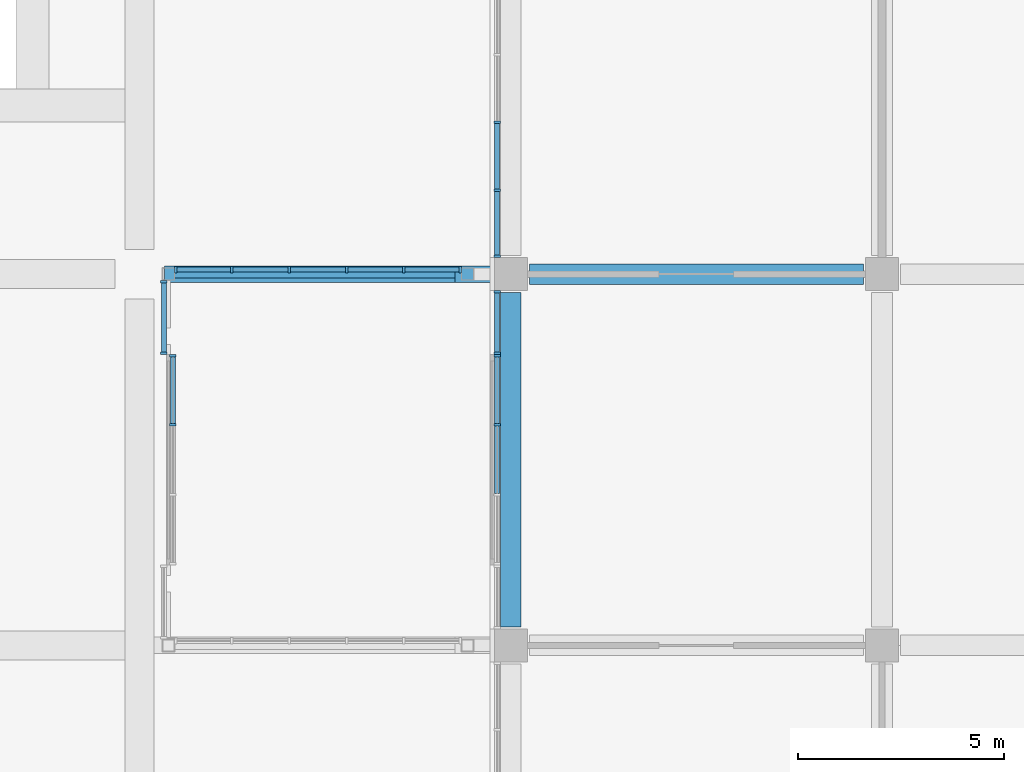
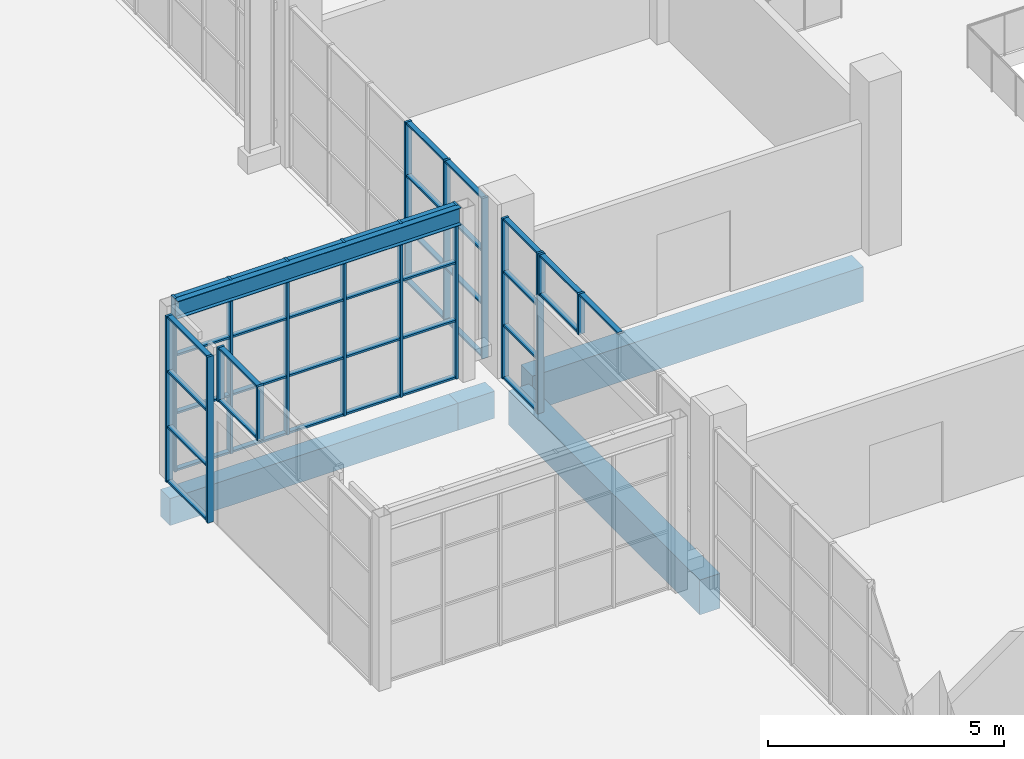
# One storey, part 39 of 168: 58 members, 5 beams, 6 elements without a shape of their own.
"""IFC4 building model written with IfcOpenShell, lengths in metres."""

import ifcopenshell
import ifcopenshell.guid

model = None  # the IFC model being written
_history = None  # IfcOwnerHistory: only IFC2X3 demands one
_inside = {}  # id of a spatial element -> (the spatial element, [elements in it])
_under = {}  # id of a project, library or spatial element -> (it, [spatial elements below it])
_declared = {}  # id of a project -> (the project, [libraries it declares])
_typed = {}  # id of a type object -> (the type object, [elements of that type])
_made_of = {}  # id of a material, layer set ... -> (it, [elements and type objects made of it])


def new_model(schema):
    """Start an empty IFC model of exactly this schema.

    Asked for "IFC4X3", IfcOpenShell would pick the latest addendum, in which some entities
    have other attributes; the version numbers below select the first issue.
    IFC2X3 requires an IfcOwnerHistory on every rooted entity: one is made here for all.
    """
    global model, _history
    if schema == "IFC4X3":
        model = ifcopenshell.file(schema_version=(4, 3, 0, 0))
    else:
        model = ifcopenshell.file(schema=schema)
    _inside.clear()
    _under.clear()
    _declared.clear()
    _typed.clear()
    _made_of.clear()
    _history = None
    if model.schema == "IFC2X3":
        org = make("IfcOrganization", Name="unknown")
        user = make(
            "IfcPersonAndOrganization",
            ThePerson=make("IfcPerson", FamilyName="unknown"),
            TheOrganization=org,
        )
        app = make(
            "IfcApplication",
            ApplicationDeveloper=org,
            Version="unknown",
            ApplicationFullName="unknown",
            ApplicationIdentifier="unknown",
        )
        _history = make(
            "IfcOwnerHistory",
            OwningUser=user,
            OwningApplication=app,
            ChangeAction="ADDED",
            CreationDate=0,
        )
    return model


def make(cls, **values):
    """One entity of the class cls with the attributes given. An attribute that is None is left unset."""
    return model.create_entity(
        cls, **{name: value for name, value in values.items() if value is not None}
    )


def rooted(cls, **values):
    """An entity with a GlobalId (a new one), such as an element, a storey or a relation."""
    return make(cls, GlobalId=ifcopenshell.guid.new(), OwnerHistory=_history, **values)


def si_unit(unit_type, name, prefix=None):
    """IfcSIUnit, for example si_unit("LENGTHUNIT", "METRE", prefix="MILLI")."""
    return make("IfcSIUnit", UnitType=unit_type, Prefix=prefix, Name=name)


def assignment(units):
    """IfcUnitAssignment: the units of a project."""
    return None if units is None else make("IfcUnitAssignment", Units=units)


def point(xyz):
    """IfcCartesianPoint."""
    return None if xyz is None else make("IfcCartesianPoint", Coordinates=xyz)


def direction(xyz):
    """IfcDirection."""
    return None if xyz is None else make("IfcDirection", DirectionRatios=xyz)


def frame(location, z_axis=None, x_axis=None):
    """IfcAxis2Placement3D, a coordinate frame: its origin and axes. An axis left out is left unset."""
    return make(
        "IfcAxis2Placement3D",
        Location=point(location),
        Axis=direction(z_axis),
        RefDirection=direction(x_axis),
    )


def frame_2d(location, x_axis=None):
    """IfcAxis2Placement2D, a coordinate frame in the plane: its origin and x axis."""
    return make(
        "IfcAxis2Placement2D", Location=point(location), RefDirection=direction(x_axis)
    )


def origin():
    """The frame at (0, 0, 0) with its axes left unset."""
    return frame((0.0, 0.0, 0.0))


def origin_2d():
    """The frame at (0, 0) in the plane with its x axis left unset."""
    return frame_2d((0.0, 0.0))


def place(relative_to, where):
    """IfcLocalPlacement: puts the frame where relative to a parent placement (None: the world)."""
    return make(
        "IfcLocalPlacement", PlacementRelTo=relative_to, RelativePlacement=where
    )


def context(
    kind, dimensions, precision=None, world=None, true_north=None, identifier=None
):
    """IfcGeometricRepresentationContext, for example the 3D "Model" context."""
    return make(
        "IfcGeometricRepresentationContext",
        ContextIdentifier=identifier,
        ContextType=kind,
        CoordinateSpaceDimension=dimensions,
        Precision=precision,
        WorldCoordinateSystem=world,
        TrueNorth=true_north,
    )


def subcontext(parent, identifier, kind, view, scale=None):
    """IfcGeometricRepresentationSubContext, for example "Body" below "Model"."""
    return make(
        "IfcGeometricRepresentationSubContext",
        ContextIdentifier=identifier,
        ContextType=kind,
        ParentContext=parent,
        TargetScale=scale,
        TargetView=view,
    )


def project(units=None, contexts=None):
    """IfcProject with its units and contexts."""
    return rooted(
        "IfcProject",
        Name="project",
        RepresentationContexts=contexts,
        UnitsInContext=assignment(units),
    )


def spatial(cls, under=None, at=None, **own):
    """A site, building, storey or space (cls), placed at a placement, below another one or the project."""
    s = rooted(cls, ObjectPlacement=at, **own)
    if under is not None:
        _under.setdefault(under.id(), (under, []))[1].append(s)
    return s


def profile(cls, at=None, kind="AREA", **sizes):
    """A parametric profile (cls). Its sizes go by their IFC names, for example OverallWidth=200.0."""
    return make(cls, ProfileType=kind, Position=at, **sizes)


def rectangle(**sizes):
    """IfcRectangleProfileDef."""
    return profile("IfcRectangleProfileDef", **sizes)


def i_section(**sizes):
    """IfcIShapeProfileDef."""
    return profile("IfcIShapeProfileDef", **sizes)


def extrude(swept, where, along, depth):
    """IfcExtrudedAreaSolid: the profile swept, set in the frame where, extruded along a direction by depth."""
    return make(
        "IfcExtrudedAreaSolid",
        SweptArea=swept,
        Position=where,
        ExtrudedDirection=direction(along),
        Depth=depth,
    )


def shape(context_of_items, identifier, shape_type, items):
    """IfcShapeRepresentation: the items that make up one representation, for example the "Body"."""
    return make(
        "IfcShapeRepresentation",
        ContextOfItems=context_of_items,
        RepresentationIdentifier=identifier,
        RepresentationType=shape_type,
        Items=items,
    )


def material(Name=None, Category=None):
    """IfcMaterial."""
    return make("IfcMaterial", Name=Name, Category=Category)


def material_profile(
    of_material, cross_section, Name=None, Category=None, Priority=None
):
    """IfcMaterialProfile: a cross section and its material."""
    return make(
        "IfcMaterialProfile",
        Name=Name,
        Material=of_material,
        Profile=cross_section,
        Priority=Priority,
        Category=Category,
    )


def profile_set(profiles, Name=None, composite=None):
    """IfcMaterialProfileSet."""
    return make(
        "IfcMaterialProfileSet",
        Name=Name,
        MaterialProfiles=profiles,
        CompositeProfile=composite,
    )


def made_of(thing, what):
    """Note that an element or type object is made of a material, layer set ...; save() writes the relation."""
    if what is not None:
        _made_of.setdefault(what.id(), (what, []))[1].append(thing)
    return thing


def type_object(cls, material=None, **own):
    """A type object (cls), such as IfcWallType, which elements share."""
    return made_of(rooted(cls, **own), material)


def element(
    cls,
    number,
    at=None,
    inside=None,
    cuts=None,
    type_object=None,
    material=None,
    context=None,
    identifier="Body",
    shape_type=None,
    held_by="IfcProductDefinitionShape",
    body=None,
    shapes=None,
    **own,
):
    """One element of the class cls, such as IfcWall. Its Tag is "e" and its number.

    at: its placement. inside: the storey or other place that contains it. cuts: it is an
    opening in that element (IfcRelVoidsElement). A single representation is given by context,
    identifier, shape_type and body (its items); several are given by shapes. held_by: the class
    of the entity that holds the representations. save() writes the other relations.
    """
    e = rooted(cls, Tag="e%d" % number, ObjectPlacement=at, **own)
    if body is not None:
        shapes = [shape(context, identifier, shape_type, body)]
    if shapes is not None:
        e.Representation = make(held_by, Representations=shapes)
    if inside is not None:
        _inside.setdefault(inside.id(), (inside, []))[1].append(e)
    if cuts is not None:
        rooted(
            "IfcRelVoidsElement", RelatingBuildingElement=cuts, RelatedOpeningElement=e
        )
    if type_object is not None:
        _typed.setdefault(type_object.id(), (type_object, []))[1].append(e)
    return made_of(e, material)


def aggregate(whole, parts):
    """IfcRelAggregates: a whole, such as a stair, and the parts it consists of."""
    return rooted("IfcRelAggregates", RelatingObject=whole, RelatedObjects=parts)


def save(model, path):
    """Write the relations noted so far, then the file.

    IfcRelAggregates (storeys below a building ...), IfcRelContainedInSpatialStructure (elements
    in a storey), IfcRelDefinesByType, IfcRelAssociatesMaterial and IfcRelDeclares: one each for
    every whole, place, type object, material and project.
    """
    for whole, parts in _under.values():
        aggregate(whole, parts)
    for where, things in _inside.values():
        rooted(
            "IfcRelContainedInSpatialStructure",
            RelatedElements=things,
            RelatingStructure=where,
        )
    for kind, things in _typed.values():
        rooted("IfcRelDefinesByType", RelatedObjects=things, RelatingType=kind)
    for what, things in _made_of.values():
        rooted("IfcRelAssociatesMaterial", RelatedObjects=things, RelatingMaterial=what)
    for by, libraries in _declared.values():
        rooted("IfcRelDeclares", RelatingContext=by, RelatedDefinitions=libraries)
    model.write(path)


model = new_model("IFC4")

# Units and contexts
model_context = context("Model", 3, precision=1e-05, world=origin(), true_north=direction((0.0, 1.0)))
body_context = subcontext(model_context, "Body", "Model", "MODEL_VIEW")
ifc_project = project(units=[si_unit("LENGTHUNIT", "METRE"), si_unit("AREAUNIT", "SQUARE_METRE"), si_unit("VOLUMEUNIT", "CUBIC_METRE"), si_unit("PLANEANGLEUNIT", "RADIAN"), si_unit("MASSUNIT", "GRAM", prefix="KILO")], contexts=[model_context])

# Site, building, storey
site_placement = place(None, origin())
site = spatial("IfcSite", under=ifc_project, at=site_placement, CompositionType="ELEMENT")
building_placement = place(site_placement, origin())
building = spatial("IfcBuilding", under=site, at=building_placement, Name="Silverbay Arena", CompositionType="ELEMENT")
storey_placement = place(building_placement, frame((0.0, 0.0, 7.0)))
storey = spatial("IfcBuildingStorey", under=building, at=storey_placement, Name="L01", CompositionType="ELEMENT", Elevation=7.0)

# Beam
ifc_material_1 = material(Name="Steel S355", Category="steel")
ifc_material_profile_1 = material_profile(ifc_material_1, i_section(OverallWidth=0.18994140625, OverallDepth=0.453369140625, WebThickness=0.008544921875, FlangeThickness=0.0126953125, at=origin_2d()), Name="UB 457x191x67")
ifc_profile_set_1 = profile_set([ifc_material_profile_1], Name="Steel S355")
beam_type_1 = type_object("IfcBeamType", Name="Hall beam UB 457x191x67", PredefinedType="BEAM", material=ifc_profile_set_1)
beam_1_placement = place(storey_placement, frame((25.800048828125, 108.0, 4.273193359375), z_axis=(-1.0, 0.0, 0.0), x_axis=(0.0, -1.0, 0.0)))
element("IfcBeam", 1, at=beam_1_placement, inside=storey, type_object=beam_type_1, Name="West entrance hall W1 transverse beam 2L11", PredefinedType="BEAM", context=body_context, shape_type="SweptSolid", body=[
    extrude(i_section(OverallWidth=0.18994140625, OverallDepth=0.453369140625, WebThickness=0.008544921875, FlangeThickness=0.0126953125, at=origin_2d()), origin(), (0.0, 0.0, 1.0), 6.949951171875),
])

# Curtain wall, members
ifc_material_2 = material(Name="Aluminium framed curtain wall", Category="aluminium")
curtain_wall_type_1 = type_object("IfcCurtainWallType", Name="Curtain wall 1550 x 4150", PredefinedType="NOTDEFINED", material=ifc_material_2)
curtain_wall_1_placement = place(storey_placement, origin())
curtain_wall_1 = element("IfcCurtainWall", 2, at=curtain_wall_1_placement, inside=storey, type_object=curtain_wall_type_1, Name="West curtain wall L01 bay 10", PredefinedType="NOTDEFINED")
ifc_material_3 = material(Name="Aluminium", Category="aluminium")
ifc_material_profile_2 = material_profile(ifc_material_3, rectangle(XDim=0.159912109375, YDim=0.06005859375, at=origin_2d()), Name="Mullion 60 x 160")
ifc_profile_set_2 = profile_set([ifc_material_profile_2], Name="Aluminium")
member_type_1 = type_object("IfcMemberType", Name="Mullion 60 x 160", PredefinedType="MULLION", material=ifc_profile_set_2)
member_1_placement = place(storey_placement, frame((26.669921875, 107.570068359375, 0.0), z_axis=(0.0, 0.0, 1.0), x_axis=(1.0, 0.0, 0.0)))
member_1 = element("IfcMember", 3, at=member_1_placement, type_object=member_type_1, Name="CW8 mullion 1", PredefinedType="MULLION", context=body_context, shape_type="SweptSolid", body=[
    extrude(rectangle(XDim=0.159912109375, YDim=0.06005859375, at=origin_2d()), origin(), (0.0, 0.0, 1.0), 4.14990234375),
])
member_2_placement = place(storey_placement, frame((26.669921875, 106.080078125, 0.0), z_axis=(0.0, 0.0, 1.0), x_axis=(1.0, 0.0, 0.0)))
member_2 = element("IfcMember", 4, at=member_2_placement, type_object=member_type_1, Name="CW8 mullion 2", PredefinedType="MULLION", context=body_context, shape_type="SweptSolid", body=[
    extrude(rectangle(XDim=0.159912109375, YDim=0.06005859375, at=origin_2d()), origin(), (0.0, 0.0, 1.0), 4.14990234375),
])

ifc_material_4 = material(Name="Aluminium framed curtain wall", Category="aluminium")
curtain_wall_type_2 = type_object("IfcCurtainWallType", Name="Curtain wall 5100 x 1050", PredefinedType="NOTDEFINED", material=ifc_material_4)
curtain_wall_2_placement = place(storey_placement, origin())
curtain_wall_2 = element("IfcCurtainWall", 5, at=curtain_wall_2_placement, inside=storey, type_object=curtain_wall_type_2, Name="West curtain wall L01 bay 10", PredefinedType="NOTDEFINED")
member_3_placement = place(storey_placement, frame((26.669921875, 106.02001953125, 3.10009765625), z_axis=(0.0, 0.0, 1.0), x_axis=(1.0, 0.0, 0.0)))
member_3 = element("IfcMember", 6, at=member_3_placement, type_object=member_type_1, Name="CW9 mullion 1", PredefinedType="MULLION", context=body_context, shape_type="SweptSolid", body=[
    extrude(rectangle(XDim=0.159912109375, YDim=0.06005859375, at=origin_2d()), origin(), (0.0, 0.0, 1.0), 1.0498046875),
])
member_4_placement = place(storey_placement, frame((26.669921875, 104.35009765625, 3.10009765625), z_axis=(0.0, 0.0, 1.0), x_axis=(1.0, 0.0, 0.0)))
member_4 = element("IfcMember", 7, at=member_4_placement, type_object=member_type_1, Name="CW9 mullion 2", PredefinedType="MULLION", context=body_context, shape_type="SweptSolid", body=[
    extrude(rectangle(XDim=0.159912109375, YDim=0.06005859375, at=origin_2d()), origin(), (0.0, 0.0, 1.0), 1.0498046875),
])

ifc_material_5 = material(Name="Aluminium framed curtain wall", Category="aluminium")
curtain_wall_type_3 = type_object("IfcCurtainWallType", Name="Curtain wall 8200 x 4150", PredefinedType="NOTDEFINED", material=ifc_material_5)
curtain_wall_3_placement = place(storey_placement, origin())
curtain_wall_3 = element("IfcCurtainWall", 8, at=curtain_wall_3_placement, inside=storey, type_object=curtain_wall_type_3, Name="West curtain wall L01 bay 11", PredefinedType="NOTDEFINED")
member_5_placement = place(storey_placement, frame((26.669921875, 111.679931640625, 0.0), z_axis=(0.0, 0.0, 1.0), x_axis=(1.0, 0.0, 0.0)))
member_5 = element("IfcMember", 9, at=member_5_placement, type_object=member_type_1, Name="CW7 mullion 4", PredefinedType="MULLION", context=body_context, shape_type="SweptSolid", body=[
    extrude(rectangle(XDim=0.159912109375, YDim=0.06005859375, at=origin_2d()), origin(), (0.0, 0.0, 1.0), 4.14990234375),
])
member_6_placement = place(storey_placement, frame((26.669921875, 110.0400390625, 0.0), z_axis=(0.0, 0.0, 1.0), x_axis=(1.0, 0.0, 0.0)))
member_6 = element("IfcMember", 10, at=member_6_placement, type_object=member_type_1, Name="CW7 mullion 5", PredefinedType="MULLION", context=body_context, shape_type="SweptSolid", body=[
    extrude(rectangle(XDim=0.159912109375, YDim=0.06005859375, at=origin_2d()), origin(), (0.0, 0.0, 1.0), 4.14990234375),
])
member_7_placement = place(storey_placement, frame((26.669921875, 108.429931640625, 0.0), z_axis=(0.0, 0.0, 1.0), x_axis=(1.0, 0.0, 0.0)))
member_7 = element("IfcMember", 11, at=member_7_placement, type_object=member_type_1, Name="CW7 mullion 6", PredefinedType="MULLION", context=body_context, shape_type="SweptSolid", body=[
    extrude(rectangle(XDim=0.159912109375, YDim=0.06005859375, at=origin_2d()), origin(), (0.0, 0.0, 1.0), 4.14990234375),
])

ifc_material_6 = material(Name="Aluminium framed curtain wall", Category="aluminium")
curtain_wall_type_4 = type_object("IfcCurtainWallType", Name="Curtain wall 1800 x 4300", PredefinedType="NOTDEFINED", material=ifc_material_6)
curtain_wall_4_placement = place(storey_placement, origin())
curtain_wall_4 = element("IfcCurtainWall", 12, at=curtain_wall_4_placement, inside=storey, type_object=curtain_wall_type_4, Name="West entrance hall W1 glazing F0b", PredefinedType="NOTDEFINED")
member_8_placement = place(storey_placement, frame((18.590087890625, 106.080078125, 0.0), z_axis=(0.0, 0.0, 1.0), x_axis=(-1.0, 0.0, 0.0)))
member_8 = element("IfcMember", 13, at=member_8_placement, type_object=member_type_1, Name="CW49 mullion 1", PredefinedType="MULLION", context=body_context, shape_type="SweptSolid", body=[
    extrude(rectangle(XDim=0.159912109375, YDim=0.06005859375, at=origin_2d()), origin(), (0.0, 0.0, 1.0), 4.300048828125),
])
member_9_placement = place(storey_placement, frame((18.590087890625, 107.820068359375, 0.0), z_axis=(0.0, 0.0, 1.0), x_axis=(-1.0, 0.0, 0.0)))
member_9 = element("IfcMember", 14, at=member_9_placement, type_object=member_type_1, Name="CW49 mullion 2", PredefinedType="MULLION", context=body_context, shape_type="SweptSolid", body=[
    extrude(rectangle(XDim=0.159912109375, YDim=0.06005859375, at=origin_2d()), origin(), (0.0, 0.0, 1.0), 4.300048828125),
])

ifc_material_7 = material(Name="Aluminium framed curtain wall", Category="aluminium")
curtain_wall_type_5 = type_object("IfcCurtainWallType", Name="Curtain wall 6950 x 4500", PredefinedType="NOTDEFINED", material=ifc_material_7)
curtain_wall_5_placement = place(storey_placement, origin())
curtain_wall_5 = element("IfcCurtainWall", 15, at=curtain_wall_5_placement, inside=storey, type_object=curtain_wall_type_5, Name="West entrance hall W1 glazing SB", PredefinedType="NOTDEFINED")
member_10_placement = place(storey_placement, frame((18.8798828125, 108.110107421875, 0.0), z_axis=(0.0, 0.0, 1.0), x_axis=(0.0, 1.0, 0.0)))
member_10 = element("IfcMember", 16, at=member_10_placement, type_object=member_type_1, Name="CW51 mullion 1", PredefinedType="MULLION", context=body_context, shape_type="SweptSolid", body=[
    extrude(rectangle(XDim=0.159912109375, YDim=0.06005859375, at=origin_2d()), origin(), (0.0, 0.0, 1.0), 4.5),
])
member_11_placement = place(storey_placement, frame((20.239990234375, 108.110107421875, 0.0), z_axis=(0.0, 0.0, 1.0), x_axis=(0.0, 1.0, 0.0)))
member_11 = element("IfcMember", 17, at=member_11_placement, type_object=member_type_1, Name="CW51 mullion 2", PredefinedType="MULLION", context=body_context, shape_type="SweptSolid", body=[
    extrude(rectangle(XDim=0.159912109375, YDim=0.06005859375, at=origin_2d()), origin(), (0.0, 0.0, 1.0), 4.5),
])
member_12_placement = place(storey_placement, frame((21.6298828125, 108.110107421875, 0.0), z_axis=(0.0, 0.0, 1.0), x_axis=(0.0, 1.0, 0.0)))
member_12 = element("IfcMember", 18, at=member_12_placement, type_object=member_type_1, Name="CW51 mullion 3", PredefinedType="MULLION", context=body_context, shape_type="SweptSolid", body=[
    extrude(rectangle(XDim=0.159912109375, YDim=0.06005859375, at=origin_2d()), origin(), (0.0, 0.0, 1.0), 4.5),
])
member_13_placement = place(storey_placement, frame((23.02001953125, 108.110107421875, 0.0), z_axis=(0.0, 0.0, 1.0), x_axis=(0.0, 1.0, 0.0)))
member_13 = element("IfcMember", 19, at=member_13_placement, type_object=member_type_1, Name="CW51 mullion 4", PredefinedType="MULLION", context=body_context, shape_type="SweptSolid", body=[
    extrude(rectangle(XDim=0.159912109375, YDim=0.06005859375, at=origin_2d()), origin(), (0.0, 0.0, 1.0), 4.5),
])
member_14_placement = place(storey_placement, frame((24.409912109375, 108.110107421875, 0.0), z_axis=(0.0, 0.0, 1.0), x_axis=(0.0, 1.0, 0.0)))
member_14 = element("IfcMember", 20, at=member_14_placement, type_object=member_type_1, Name="CW51 mullion 5", PredefinedType="MULLION", context=body_context, shape_type="SweptSolid", body=[
    extrude(rectangle(XDim=0.159912109375, YDim=0.06005859375, at=origin_2d()), origin(), (0.0, 0.0, 1.0), 4.5),
])
member_15_placement = place(storey_placement, frame((25.77001953125, 108.110107421875, 0.0), z_axis=(0.0, 0.0, 1.0), x_axis=(0.0, 1.0, 0.0)))
member_15 = element("IfcMember", 21, at=member_15_placement, type_object=member_type_1, Name="CW51 mullion 6", PredefinedType="MULLION", context=body_context, shape_type="SweptSolid", body=[
    extrude(rectangle(XDim=0.159912109375, YDim=0.06005859375, at=origin_2d()), origin(), (0.0, 0.0, 1.0), 4.5),
])

ifc_material_8 = material(Name="Aluminium framed curtain wall", Category="aluminium")
curtain_wall_type_6 = type_object("IfcCurtainWallType", Name="Curtain wall 5100 x 1400", PredefinedType="NOTDEFINED", material=ifc_material_8)
curtain_wall_6_placement = place(storey_placement, origin())
curtain_wall_6 = element("IfcCurtainWall", 22, at=curtain_wall_6_placement, inside=storey, type_object=curtain_wall_type_6, Name="West entrance hall W1 glazing over the door", PredefinedType="NOTDEFINED")
member_16_placement = place(storey_placement, frame((18.81005859375, 106.02001953125, 3.10009765625), z_axis=(0.0, 0.0, 1.0), x_axis=(1.0, 0.0, 0.0)))
member_16 = element("IfcMember", 23, at=member_16_placement, type_object=member_type_1, Name="CW39 mullion 1", PredefinedType="MULLION", context=body_context, shape_type="SweptSolid", body=[
    extrude(rectangle(XDim=0.159912109375, YDim=0.06005859375, at=origin_2d()), origin(), (0.0, 0.0, 1.0), 1.39990234375),
])
member_17_placement = place(storey_placement, frame((18.81005859375, 104.35009765625, 3.10009765625), z_axis=(0.0, 0.0, 1.0), x_axis=(1.0, 0.0, 0.0)))
member_17 = element("IfcMember", 24, at=member_17_placement, type_object=member_type_1, Name="CW39 mullion 2", PredefinedType="MULLION", context=body_context, shape_type="SweptSolid", body=[
    extrude(rectangle(XDim=0.159912109375, YDim=0.06005859375, at=origin_2d()), origin(), (0.0, 0.0, 1.0), 1.39990234375),
])

# Beams
ifc_material_9 = material(Name="Concrete Grade C45", Category="concrete")
ifc_material_profile_3 = material_profile(ifc_material_9, rectangle(XDim=0.39990234375, YDim=0.699951171875, at=origin_2d()), Name="RC 400x700")
ifc_profile_set_3 = profile_set([ifc_material_profile_3], Name="Concrete Grade C45")
beam_type_2 = type_object("IfcBeamType", Name="RC beam 400x700", PredefinedType="BEAM", material=ifc_profile_set_3)
beam_2_placement = place(storey_placement, frame((18.60009765625, 108.0, -0.800048828125), z_axis=(1.0, 0.0, 0.0), x_axis=(0.0, 1.0, 0.0)))
element("IfcBeam", 25, at=beam_2_placement, inside=storey, type_object=beam_type_2, Name="Deck row beam 088", PredefinedType="BEAM", context=body_context, shape_type="SweptSolid", body=[
    extrude(rectangle(XDim=0.39990234375, YDim=0.699951171875, at=origin_2d()), origin(), (0.0, 0.0, 1.0), 7.0498046875),
])
beam_3_placement = place(storey_placement, frame((25.64990234375, 108.0, -0.800048828125), z_axis=(1.0, 0.0, 0.0), x_axis=(0.0, 1.0, 0.0)))
element("IfcBeam", 26, at=beam_3_placement, inside=storey, type_object=beam_type_2, Name="Deck row beam 088 B", PredefinedType="BEAM", context=body_context, shape_type="SweptSolid", body=[
    extrude(rectangle(XDim=0.39990234375, YDim=0.699951171875, at=origin_2d()), origin(), (0.0, 0.0, 1.0), 0.900146484375),
])
ifc_material_10 = material(Name="Concrete Grade C45", Category="concrete")
ifc_material_profile_4 = material_profile(ifc_material_10, rectangle(XDim=0.5, YDim=0.89990234375, at=origin_2d()), Name="RC 500x900")
ifc_profile_set_4 = profile_set([ifc_material_profile_4], Name="Concrete Grade C45")
beam_type_3 = type_object("IfcBeamType", Name="RC beam 500x900", PredefinedType="BEAM", material=ifc_profile_set_4)
for number, where, z_axis, x_axis, name in (
    (27, (27.449951171875, 108.0, -0.800048828125), (1.0, 0.0, 0.0), (0.0, 1.0, 0.0), "Floor beam L01 124"),
    (28, (27.0, 99.449951171875, -0.800048828125), (0.0, 1.0, 0.0), (-1.0, 0.0, 0.0), "Floor beam L01 188"),
):
    element("IfcBeam", number, at=place(storey_placement, frame(where, z_axis=z_axis, x_axis=x_axis)), inside=storey, type_object=beam_type_3, Name=name, PredefinedType="BEAM", context=body_context, shape_type="SweptSolid", body=[
        extrude(rectangle(XDim=0.5, YDim=0.89990234375, at=origin_2d()), origin(), (0.0, 0.0, 1.0), 8.10009765625),
    ])

# Member
ifc_material_11 = material(Name="Aluminium", Category="aluminium")
ifc_material_profile_5 = material_profile(ifc_material_11, rectangle(XDim=0.1201171875, YDim=0.050048828125, at=origin_2d()), Name="Transom 50 x 120")
ifc_profile_set_5 = profile_set([ifc_material_profile_5], Name="Aluminium")
member_type_2 = type_object("IfcMemberType", Name="Transom 50 x 120", PredefinedType="USERDEFINED", material=ifc_profile_set_5)
member_18_placement = place(storey_placement, frame((26.669921875, 107.5400390625, 0.02490234375), z_axis=(0.0, -1.0, 0.0), x_axis=(1.0, 0.0, 0.0)))
member_18 = element("IfcMember", 29, at=member_18_placement, type_object=member_type_2, Name="CW8 transom 1.1", ObjectType="TRANSOM", PredefinedType="USERDEFINED", context=body_context, shape_type="SweptSolid", body=[
    extrude(rectangle(XDim=0.1201171875, YDim=0.050048828125, at=origin_2d()), origin(), (0.0, 0.0, 1.0), 1.429931640625),
])

member_19_placement = place(storey_placement, frame((26.669921875, 107.5400390625, 1.38330078125), z_axis=(0.0, -1.0, 0.0), x_axis=(1.0, 0.0, 0.0)))
member_19 = element("IfcMember", 30, at=member_19_placement, type_object=member_type_2, Name="CW8 transom 1.2", ObjectType="TRANSOM", PredefinedType="USERDEFINED", context=body_context, shape_type="SweptSolid", body=[
    extrude(rectangle(XDim=0.1201171875, YDim=0.050048828125, at=origin_2d()), origin(), (0.0, 0.0, 1.0), 1.429931640625),
])

member_20_placement = place(storey_placement, frame((26.669921875, 107.5400390625, 2.7666015625), z_axis=(0.0, -1.0, 0.0), x_axis=(1.0, 0.0, 0.0)))
member_20 = element("IfcMember", 31, at=member_20_placement, type_object=member_type_2, Name="CW8 transom 1.3", ObjectType="TRANSOM", PredefinedType="USERDEFINED", context=body_context, shape_type="SweptSolid", body=[
    extrude(rectangle(XDim=0.1201171875, YDim=0.050048828125, at=origin_2d()), origin(), (0.0, 0.0, 1.0), 1.429931640625),
])

member_21_placement = place(storey_placement, frame((26.669921875, 107.5400390625, 4.125), z_axis=(0.0, -1.0, 0.0), x_axis=(1.0, 0.0, 0.0)))
member_21 = element("IfcMember", 32, at=member_21_placement, type_object=member_type_2, Name="CW8 transom 1.4", ObjectType="TRANSOM", PredefinedType="USERDEFINED", context=body_context, shape_type="SweptSolid", body=[
    extrude(rectangle(XDim=0.1201171875, YDim=0.050048828125, at=origin_2d()), origin(), (0.0, 0.0, 1.0), 1.429931640625),
])

aggregate(curtain_wall_1, [member_1, member_2, member_18, member_19, member_20, member_21])

member_22_placement = place(storey_placement, frame((26.669921875, 105.989990234375, 3.125), z_axis=(0.0, -1.0, 0.0), x_axis=(1.0, 0.0, 0.0)))
member_22 = element("IfcMember", 33, at=member_22_placement, type_object=member_type_2, Name="CW9 transom 1.1", ObjectType="TRANSOM", PredefinedType="USERDEFINED", context=body_context, shape_type="SweptSolid", body=[
    extrude(rectangle(XDim=0.1201171875, YDim=0.050048828125, at=origin_2d()), origin(), (0.0, 0.0, 1.0), 1.610107421875),
])

member_23_placement = place(storey_placement, frame((26.669921875, 105.989990234375, 4.125), z_axis=(0.0, -1.0, 0.0), x_axis=(1.0, 0.0, 0.0)))
member_23 = element("IfcMember", 34, at=member_23_placement, type_object=member_type_2, Name="CW9 transom 1.2", ObjectType="TRANSOM", PredefinedType="USERDEFINED", context=body_context, shape_type="SweptSolid", body=[
    extrude(rectangle(XDim=0.1201171875, YDim=0.050048828125, at=origin_2d()), origin(), (0.0, 0.0, 1.0), 1.610107421875),
])

member_24_placement = place(storey_placement, frame((26.669921875, 104.320068359375, 4.125), z_axis=(0.0, -1.0, 0.0), x_axis=(1.0, 0.0, 0.0)))
member_24 = element("IfcMember", 35, at=member_24_placement, type_object=member_type_2, Name="CW9 transom 2.2", ObjectType="TRANSOM", PredefinedType="USERDEFINED", context=body_context, shape_type="SweptSolid", body=[
    extrude(rectangle(XDim=0.1201171875, YDim=0.050048828125, at=origin_2d()), origin(), (0.0, 0.0, 1.0), 1.64013671875),
])

aggregate(curtain_wall_2, [member_3, member_4, member_22, member_23, member_24])

member_25_placement = place(storey_placement, frame((26.669921875, 111.64990234375, 0.02490234375), z_axis=(0.0, -1.0, 0.0), x_axis=(1.0, 0.0, 0.0)))
member_25 = element("IfcMember", 36, at=member_25_placement, type_object=member_type_2, Name="CW7 transom 4.1", ObjectType="TRANSOM", PredefinedType="USERDEFINED", context=body_context, shape_type="SweptSolid", body=[
    extrude(rectangle(XDim=0.1201171875, YDim=0.050048828125, at=origin_2d()), origin(), (0.0, 0.0, 1.0), 1.579833984375),
])

member_26_placement = place(storey_placement, frame((26.669921875, 111.64990234375, 1.38330078125), z_axis=(0.0, -1.0, 0.0), x_axis=(1.0, 0.0, 0.0)))
member_26 = element("IfcMember", 37, at=member_26_placement, type_object=member_type_2, Name="CW7 transom 4.2", ObjectType="TRANSOM", PredefinedType="USERDEFINED", context=body_context, shape_type="SweptSolid", body=[
    extrude(rectangle(XDim=0.1201171875, YDim=0.050048828125, at=origin_2d()), origin(), (0.0, 0.0, 1.0), 1.579833984375),
])

member_27_placement = place(storey_placement, frame((26.669921875, 111.64990234375, 2.7666015625), z_axis=(0.0, -1.0, 0.0), x_axis=(1.0, 0.0, 0.0)))
member_27 = element("IfcMember", 38, at=member_27_placement, type_object=member_type_2, Name="CW7 transom 4.3", ObjectType="TRANSOM", PredefinedType="USERDEFINED", context=body_context, shape_type="SweptSolid", body=[
    extrude(rectangle(XDim=0.1201171875, YDim=0.050048828125, at=origin_2d()), origin(), (0.0, 0.0, 1.0), 1.579833984375),
])

member_28_placement = place(storey_placement, frame((26.669921875, 111.64990234375, 4.125), z_axis=(0.0, -1.0, 0.0), x_axis=(1.0, 0.0, 0.0)))
member_28 = element("IfcMember", 39, at=member_28_placement, type_object=member_type_2, Name="CW7 transom 4.4", ObjectType="TRANSOM", PredefinedType="USERDEFINED", context=body_context, shape_type="SweptSolid", body=[
    extrude(rectangle(XDim=0.1201171875, YDim=0.050048828125, at=origin_2d()), origin(), (0.0, 0.0, 1.0), 1.579833984375),
])

member_29_placement = place(storey_placement, frame((26.669921875, 110.010009765625, 0.02490234375), z_axis=(0.0, -1.0, 0.0), x_axis=(1.0, 0.0, 0.0)))
member_29 = element("IfcMember", 40, at=member_29_placement, type_object=member_type_2, Name="CW7 transom 5.1", ObjectType="TRANSOM", PredefinedType="USERDEFINED", context=body_context, shape_type="SweptSolid", body=[
    extrude(rectangle(XDim=0.1201171875, YDim=0.050048828125, at=origin_2d()), origin(), (0.0, 0.0, 1.0), 1.550048828125),
])

member_30_placement = place(storey_placement, frame((26.669921875, 110.010009765625, 1.38330078125), z_axis=(0.0, -1.0, 0.0), x_axis=(1.0, 0.0, 0.0)))
member_30 = element("IfcMember", 41, at=member_30_placement, type_object=member_type_2, Name="CW7 transom 5.2", ObjectType="TRANSOM", PredefinedType="USERDEFINED", context=body_context, shape_type="SweptSolid", body=[
    extrude(rectangle(XDim=0.1201171875, YDim=0.050048828125, at=origin_2d()), origin(), (0.0, 0.0, 1.0), 1.550048828125),
])

member_31_placement = place(storey_placement, frame((26.669921875, 110.010009765625, 2.7666015625), z_axis=(0.0, -1.0, 0.0), x_axis=(1.0, 0.0, 0.0)))
member_31 = element("IfcMember", 42, at=member_31_placement, type_object=member_type_2, Name="CW7 transom 5.3", ObjectType="TRANSOM", PredefinedType="USERDEFINED", context=body_context, shape_type="SweptSolid", body=[
    extrude(rectangle(XDim=0.1201171875, YDim=0.050048828125, at=origin_2d()), origin(), (0.0, 0.0, 1.0), 1.550048828125),
])

member_32_placement = place(storey_placement, frame((26.669921875, 110.010009765625, 4.125), z_axis=(0.0, -1.0, 0.0), x_axis=(1.0, 0.0, 0.0)))
member_32 = element("IfcMember", 43, at=member_32_placement, type_object=member_type_2, Name="CW7 transom 5.4", ObjectType="TRANSOM", PredefinedType="USERDEFINED", context=body_context, shape_type="SweptSolid", body=[
    extrude(rectangle(XDim=0.1201171875, YDim=0.050048828125, at=origin_2d()), origin(), (0.0, 0.0, 1.0), 1.550048828125),
])

aggregate(curtain_wall_3, [member_5, member_6, member_7, member_25, member_26, member_27, member_28, member_29, member_30, member_31, member_32])

member_33_placement = place(storey_placement, frame((18.590087890625, 106.110107421875, 0.02490234375), z_axis=(0.0, 1.0, 0.0), x_axis=(-1.0, 0.0, 0.0)))
member_33 = element("IfcMember", 44, at=member_33_placement, type_object=member_type_2, Name="CW49 transom 1.1", ObjectType="TRANSOM", PredefinedType="USERDEFINED", context=body_context, shape_type="SweptSolid", body=[
    extrude(rectangle(XDim=0.1201171875, YDim=0.050048828125, at=origin_2d()), origin(), (0.0, 0.0, 1.0), 1.679931640625),
])

member_34_placement = place(storey_placement, frame((18.590087890625, 106.110107421875, 1.433349609375), z_axis=(0.0, 1.0, 0.0), x_axis=(-1.0, 0.0, 0.0)))
member_34 = element("IfcMember", 45, at=member_34_placement, type_object=member_type_2, Name="CW49 transom 1.2", ObjectType="TRANSOM", PredefinedType="USERDEFINED", context=body_context, shape_type="SweptSolid", body=[
    extrude(rectangle(XDim=0.1201171875, YDim=0.050048828125, at=origin_2d()), origin(), (0.0, 0.0, 1.0), 1.679931640625),
])

member_35_placement = place(storey_placement, frame((18.590087890625, 106.110107421875, 2.86669921875), z_axis=(0.0, 1.0, 0.0), x_axis=(-1.0, 0.0, 0.0)))
member_35 = element("IfcMember", 46, at=member_35_placement, type_object=member_type_2, Name="CW49 transom 1.3", ObjectType="TRANSOM", PredefinedType="USERDEFINED", context=body_context, shape_type="SweptSolid", body=[
    extrude(rectangle(XDim=0.1201171875, YDim=0.050048828125, at=origin_2d()), origin(), (0.0, 0.0, 1.0), 1.679931640625),
])

member_36_placement = place(storey_placement, frame((18.590087890625, 106.110107421875, 4.27490234375), z_axis=(0.0, 1.0, 0.0), x_axis=(-1.0, 0.0, 0.0)))
member_36 = element("IfcMember", 47, at=member_36_placement, type_object=member_type_2, Name="CW49 transom 1.4", ObjectType="TRANSOM", PredefinedType="USERDEFINED", context=body_context, shape_type="SweptSolid", body=[
    extrude(rectangle(XDim=0.1201171875, YDim=0.050048828125, at=origin_2d()), origin(), (0.0, 0.0, 1.0), 1.679931640625),
])

aggregate(curtain_wall_4, [member_8, member_9, member_33, member_34, member_35, member_36])

member_37_placement = place(storey_placement, frame((18.909912109375, 108.110107421875, 0.02490234375), z_axis=(1.0, 0.0, 0.0), x_axis=(0.0, 1.0, 0.0)))
member_37 = element("IfcMember", 48, at=member_37_placement, type_object=member_type_2, Name="CW51 transom 1.1", ObjectType="TRANSOM", PredefinedType="USERDEFINED", context=body_context, shape_type="SweptSolid", body=[
    extrude(rectangle(XDim=0.1201171875, YDim=0.050048828125, at=origin_2d()), origin(), (0.0, 0.0, 1.0), 1.300048828125),
])

member_38_placement = place(storey_placement, frame((18.909912109375, 108.110107421875, 1.5), z_axis=(1.0, 0.0, 0.0), x_axis=(0.0, 1.0, 0.0)))
member_38 = element("IfcMember", 49, at=member_38_placement, type_object=member_type_2, Name="CW51 transom 1.2", ObjectType="TRANSOM", PredefinedType="USERDEFINED", context=body_context, shape_type="SweptSolid", body=[
    extrude(rectangle(XDim=0.1201171875, YDim=0.050048828125, at=origin_2d()), origin(), (0.0, 0.0, 1.0), 1.300048828125),
])

member_39_placement = place(storey_placement, frame((18.909912109375, 108.110107421875, 3.0), z_axis=(1.0, 0.0, 0.0), x_axis=(0.0, 1.0, 0.0)))
member_39 = element("IfcMember", 50, at=member_39_placement, type_object=member_type_2, Name="CW51 transom 1.3", ObjectType="TRANSOM", PredefinedType="USERDEFINED", context=body_context, shape_type="SweptSolid", body=[
    extrude(rectangle(XDim=0.1201171875, YDim=0.050048828125, at=origin_2d()), origin(), (0.0, 0.0, 1.0), 1.300048828125),
])

member_40_placement = place(storey_placement, frame((18.909912109375, 108.110107421875, 4.47509765625), z_axis=(1.0, 0.0, 0.0), x_axis=(0.0, 1.0, 0.0)))
member_40 = element("IfcMember", 51, at=member_40_placement, type_object=member_type_2, Name="CW51 transom 1.4", ObjectType="TRANSOM", PredefinedType="USERDEFINED", context=body_context, shape_type="SweptSolid", body=[
    extrude(rectangle(XDim=0.1201171875, YDim=0.050048828125, at=origin_2d()), origin(), (0.0, 0.0, 1.0), 1.300048828125),
])

member_41_placement = place(storey_placement, frame((20.27001953125, 108.110107421875, 0.02490234375), z_axis=(1.0, 0.0, 0.0), x_axis=(0.0, 1.0, 0.0)))
member_41 = element("IfcMember", 52, at=member_41_placement, type_object=member_type_2, Name="CW51 transom 2.1", ObjectType="TRANSOM", PredefinedType="USERDEFINED", context=body_context, shape_type="SweptSolid", body=[
    extrude(rectangle(XDim=0.1201171875, YDim=0.050048828125, at=origin_2d()), origin(), (0.0, 0.0, 1.0), 1.330078125),
])

member_42_placement = place(storey_placement, frame((20.27001953125, 108.110107421875, 1.5), z_axis=(1.0, 0.0, 0.0), x_axis=(0.0, 1.0, 0.0)))
member_42 = element("IfcMember", 53, at=member_42_placement, type_object=member_type_2, Name="CW51 transom 2.2", ObjectType="TRANSOM", PredefinedType="USERDEFINED", context=body_context, shape_type="SweptSolid", body=[
    extrude(rectangle(XDim=0.1201171875, YDim=0.050048828125, at=origin_2d()), origin(), (0.0, 0.0, 1.0), 1.330078125),
])

member_43_placement = place(storey_placement, frame((20.27001953125, 108.110107421875, 3.0), z_axis=(1.0, 0.0, 0.0), x_axis=(0.0, 1.0, 0.0)))
member_43 = element("IfcMember", 54, at=member_43_placement, type_object=member_type_2, Name="CW51 transom 2.3", ObjectType="TRANSOM", PredefinedType="USERDEFINED", context=body_context, shape_type="SweptSolid", body=[
    extrude(rectangle(XDim=0.1201171875, YDim=0.050048828125, at=origin_2d()), origin(), (0.0, 0.0, 1.0), 1.330078125),
])

member_44_placement = place(storey_placement, frame((20.27001953125, 108.110107421875, 4.47509765625), z_axis=(1.0, 0.0, 0.0), x_axis=(0.0, 1.0, 0.0)))
member_44 = element("IfcMember", 55, at=member_44_placement, type_object=member_type_2, Name="CW51 transom 2.4", ObjectType="TRANSOM", PredefinedType="USERDEFINED", context=body_context, shape_type="SweptSolid", body=[
    extrude(rectangle(XDim=0.1201171875, YDim=0.050048828125, at=origin_2d()), origin(), (0.0, 0.0, 1.0), 1.330078125),
])

member_45_placement = place(storey_placement, frame((21.659912109375, 108.110107421875, 0.02490234375), z_axis=(1.0, 0.0, 0.0), x_axis=(0.0, 1.0, 0.0)))
member_45 = element("IfcMember", 56, at=member_45_placement, type_object=member_type_2, Name="CW51 transom 3.1", ObjectType="TRANSOM", PredefinedType="USERDEFINED", context=body_context, shape_type="SweptSolid", body=[
    extrude(rectangle(XDim=0.1201171875, YDim=0.050048828125, at=origin_2d()), origin(), (0.0, 0.0, 1.0), 1.330078125),
])

member_46_placement = place(storey_placement, frame((21.659912109375, 108.110107421875, 1.5), z_axis=(1.0, 0.0, 0.0), x_axis=(0.0, 1.0, 0.0)))
member_46 = element("IfcMember", 57, at=member_46_placement, type_object=member_type_2, Name="CW51 transom 3.2", ObjectType="TRANSOM", PredefinedType="USERDEFINED", context=body_context, shape_type="SweptSolid", body=[
    extrude(rectangle(XDim=0.1201171875, YDim=0.050048828125, at=origin_2d()), origin(), (0.0, 0.0, 1.0), 1.330078125),
])

member_47_placement = place(storey_placement, frame((21.659912109375, 108.110107421875, 3.0), z_axis=(1.0, 0.0, 0.0), x_axis=(0.0, 1.0, 0.0)))
member_47 = element("IfcMember", 58, at=member_47_placement, type_object=member_type_2, Name="CW51 transom 3.3", ObjectType="TRANSOM", PredefinedType="USERDEFINED", context=body_context, shape_type="SweptSolid", body=[
    extrude(rectangle(XDim=0.1201171875, YDim=0.050048828125, at=origin_2d()), origin(), (0.0, 0.0, 1.0), 1.330078125),
])

member_48_placement = place(storey_placement, frame((21.659912109375, 108.110107421875, 4.47509765625), z_axis=(1.0, 0.0, 0.0), x_axis=(0.0, 1.0, 0.0)))
member_48 = element("IfcMember", 59, at=member_48_placement, type_object=member_type_2, Name="CW51 transom 3.4", ObjectType="TRANSOM", PredefinedType="USERDEFINED", context=body_context, shape_type="SweptSolid", body=[
    extrude(rectangle(XDim=0.1201171875, YDim=0.050048828125, at=origin_2d()), origin(), (0.0, 0.0, 1.0), 1.330078125),
])

member_49_placement = place(storey_placement, frame((23.050048828125, 108.110107421875, 0.02490234375), z_axis=(1.0, 0.0, 0.0), x_axis=(0.0, 1.0, 0.0)))
member_49 = element("IfcMember", 60, at=member_49_placement, type_object=member_type_2, Name="CW51 transom 4.1", ObjectType="TRANSOM", PredefinedType="USERDEFINED", context=body_context, shape_type="SweptSolid", body=[
    extrude(rectangle(XDim=0.1201171875, YDim=0.050048828125, at=origin_2d()), origin(), (0.0, 0.0, 1.0), 1.329833984375),
])

member_50_placement = place(storey_placement, frame((23.050048828125, 108.110107421875, 1.5), z_axis=(1.0, 0.0, 0.0), x_axis=(0.0, 1.0, 0.0)))
member_50 = element("IfcMember", 61, at=member_50_placement, type_object=member_type_2, Name="CW51 transom 4.2", ObjectType="TRANSOM", PredefinedType="USERDEFINED", context=body_context, shape_type="SweptSolid", body=[
    extrude(rectangle(XDim=0.1201171875, YDim=0.050048828125, at=origin_2d()), origin(), (0.0, 0.0, 1.0), 1.329833984375),
])

member_51_placement = place(storey_placement, frame((23.050048828125, 108.110107421875, 3.0), z_axis=(1.0, 0.0, 0.0), x_axis=(0.0, 1.0, 0.0)))
member_51 = element("IfcMember", 62, at=member_51_placement, type_object=member_type_2, Name="CW51 transom 4.3", ObjectType="TRANSOM", PredefinedType="USERDEFINED", context=body_context, shape_type="SweptSolid", body=[
    extrude(rectangle(XDim=0.1201171875, YDim=0.050048828125, at=origin_2d()), origin(), (0.0, 0.0, 1.0), 1.329833984375),
])

member_52_placement = place(storey_placement, frame((23.050048828125, 108.110107421875, 4.47509765625), z_axis=(1.0, 0.0, 0.0), x_axis=(0.0, 1.0, 0.0)))
member_52 = element("IfcMember", 63, at=member_52_placement, type_object=member_type_2, Name="CW51 transom 4.4", ObjectType="TRANSOM", PredefinedType="USERDEFINED", context=body_context, shape_type="SweptSolid", body=[
    extrude(rectangle(XDim=0.1201171875, YDim=0.050048828125, at=origin_2d()), origin(), (0.0, 0.0, 1.0), 1.329833984375),
])

member_53_placement = place(storey_placement, frame((24.43994140625, 108.110107421875, 0.02490234375), z_axis=(1.0, 0.0, 0.0), x_axis=(0.0, 1.0, 0.0)))
member_53 = element("IfcMember", 64, at=member_53_placement, type_object=member_type_2, Name="CW51 transom 5.1", ObjectType="TRANSOM", PredefinedType="USERDEFINED", context=body_context, shape_type="SweptSolid", body=[
    extrude(rectangle(XDim=0.1201171875, YDim=0.050048828125, at=origin_2d()), origin(), (0.0, 0.0, 1.0), 1.300048828125),
])

member_54_placement = place(storey_placement, frame((24.43994140625, 108.110107421875, 1.5), z_axis=(1.0, 0.0, 0.0), x_axis=(0.0, 1.0, 0.0)))
member_54 = element("IfcMember", 65, at=member_54_placement, type_object=member_type_2, Name="CW51 transom 5.2", ObjectType="TRANSOM", PredefinedType="USERDEFINED", context=body_context, shape_type="SweptSolid", body=[
    extrude(rectangle(XDim=0.1201171875, YDim=0.050048828125, at=origin_2d()), origin(), (0.0, 0.0, 1.0), 1.300048828125),
])

member_55_placement = place(storey_placement, frame((24.43994140625, 108.110107421875, 3.0), z_axis=(1.0, 0.0, 0.0), x_axis=(0.0, 1.0, 0.0)))
member_55 = element("IfcMember", 66, at=member_55_placement, type_object=member_type_2, Name="CW51 transom 5.3", ObjectType="TRANSOM", PredefinedType="USERDEFINED", context=body_context, shape_type="SweptSolid", body=[
    extrude(rectangle(XDim=0.1201171875, YDim=0.050048828125, at=origin_2d()), origin(), (0.0, 0.0, 1.0), 1.300048828125),
])

member_56_placement = place(storey_placement, frame((24.43994140625, 108.110107421875, 4.47509765625), z_axis=(1.0, 0.0, 0.0), x_axis=(0.0, 1.0, 0.0)))
member_56 = element("IfcMember", 67, at=member_56_placement, type_object=member_type_2, Name="CW51 transom 5.4", ObjectType="TRANSOM", PredefinedType="USERDEFINED", context=body_context, shape_type="SweptSolid", body=[
    extrude(rectangle(XDim=0.1201171875, YDim=0.050048828125, at=origin_2d()), origin(), (0.0, 0.0, 1.0), 1.300048828125),
])

aggregate(curtain_wall_5, [member_10, member_11, member_12, member_13, member_14, member_15, member_37, member_38, member_39, member_40, member_41, member_42, member_43, member_44, member_45, member_46, member_47, member_48, member_49, member_50, member_51, member_52, member_53, member_54, member_55, member_56])

member_57_placement = place(storey_placement, frame((18.81005859375, 105.989990234375, 3.125), z_axis=(0.0, -1.0, 0.0), x_axis=(1.0, 0.0, 0.0)))
member_57 = element("IfcMember", 68, at=member_57_placement, type_object=member_type_2, Name="CW39 transom 1.1", ObjectType="TRANSOM", PredefinedType="USERDEFINED", context=body_context, shape_type="SweptSolid", body=[
    extrude(rectangle(XDim=0.1201171875, YDim=0.050048828125, at=origin_2d()), origin(), (0.0, 0.0, 1.0), 1.610107421875),
])

member_58_placement = place(storey_placement, frame((18.81005859375, 105.989990234375, 4.47509765625), z_axis=(0.0, -1.0, 0.0), x_axis=(1.0, 0.0, 0.0)))
member_58 = element("IfcMember", 69, at=member_58_placement, type_object=member_type_2, Name="CW39 transom 1.2", ObjectType="TRANSOM", PredefinedType="USERDEFINED", context=body_context, shape_type="SweptSolid", body=[
    extrude(rectangle(XDim=0.1201171875, YDim=0.050048828125, at=origin_2d()), origin(), (0.0, 0.0, 1.0), 1.610107421875),
])

aggregate(curtain_wall_6, [member_16, member_17, member_57, member_58])

save(model, "model.ifc")
